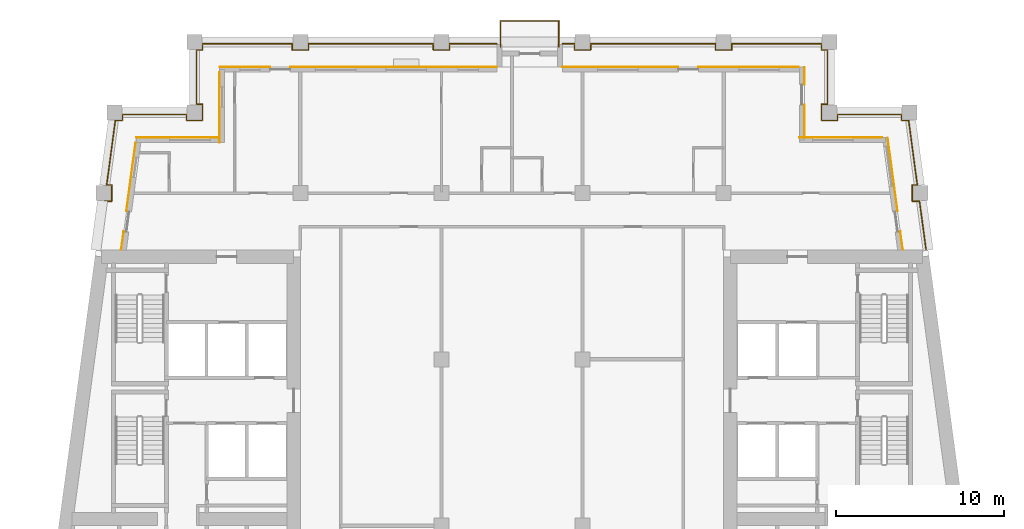
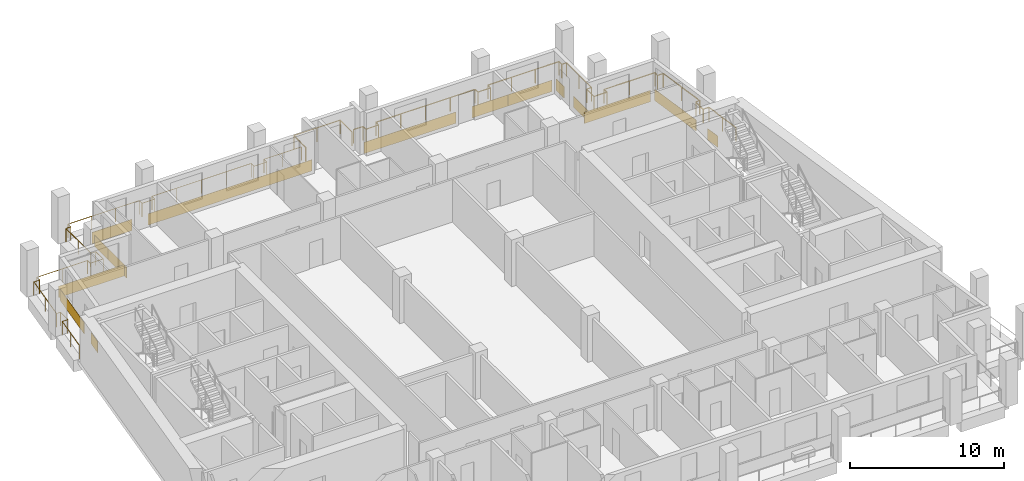
# One storey, part 11 of 12: 15 coverings, 3 railings.
"""IFC4 building model written with IfcOpenShell, lengths in metres."""

from ifc_helpers import new_model, si_unit, direction, frame, origin, origin_2d, place, context, subcontext, project, spatial, rectangle, circle, extrude, material, layer, layer_set, type_object, element, save


model = new_model("IFC4")

# Units and contexts
model_context = context("Model", 3, precision=1e-05, world=origin(), true_north=direction((0.0, 1.0)))
body_context = subcontext(model_context, "Body", "Model", "MODEL_VIEW")
ifc_project = project(units=[si_unit("LENGTHUNIT", "METRE"), si_unit("AREAUNIT", "SQUARE_METRE"), si_unit("VOLUMEUNIT", "CUBIC_METRE"), si_unit("PLANEANGLEUNIT", "RADIAN"), si_unit("MASSUNIT", "GRAM", prefix="KILO")], contexts=[model_context])

# Site, building, storey
site_placement = place(None, origin())
site = spatial("IfcSite", under=ifc_project, at=site_placement, CompositionType="ELEMENT")
building_placement = place(site_placement, origin())
building = spatial("IfcBuilding", under=site, at=building_placement, Name="Candeia Pilgrim Tower and Theatre", CompositionType="ELEMENT")
storey_placement = place(building_placement, frame((0.0, 0.0, 228.10009765625)))
storey = spatial("IfcBuildingStorey", under=building, at=storey_placement, Name="L55", CompositionType="ELEMENT", Elevation=228.10009765625)

# Railings
ifc_material_1 = material(Name="Stainless steel balustrade", Category="steel")
railing_type = type_object("IfcRailingType", Name="G1 loggia guard 1100", PredefinedType="GUARDRAIL", material=ifc_material_1)
railing_1_placement = place(storey_placement, frame((88.758544921875, 132.449951171875, 0.0)))
element("IfcRailing", 1, at=railing_1_placement, inside=storey, type_object=railing_type, Name="Guard L55.2", PredefinedType="GUARDRAIL", context=body_context, shape_type="SweptSolid", body=[
    extrude(circle(Radius=0.02392578125, at=origin_2d()), frame((0.0, 0.0, 1.076171875), z_axis=(0.133450228179, 0.991055516406, 0.0), x_axis=(-0.991055516406, 0.133450228179, 0.0)), (0.0, 0.0, 1.0), 2.89599609375),
    extrude(circle(Radius=0.02392578125, at=origin_2d()), frame((0.386474609375, 2.8701171875, 1.076171875), z_axis=(1.0, 0.0, 0.0), x_axis=(0.0, 1.0, 0.0)), (0.0, 0.0, 1.0), 0.42333984375),
    extrude(circle(Radius=0.02392578125, at=origin_2d()), frame((0.809814453125, 2.8701171875, 1.076171875), z_axis=(0.0, 1.0, 0.0), x_axis=(-1.0, 0.0, 0.0)), (0.0, 0.0, 1.0), 0.9599609375),
    extrude(circle(Radius=0.02392578125, at=origin_2d()), frame((0.809814453125, 3.830078125, 1.076171875), z_axis=(-1.0, 0.0, 0.0), x_axis=(0.0, -1.0, 0.0)), (0.0, 0.0, 1.0), 0.294189453125),
    extrude(circle(Radius=0.02392578125, at=origin_2d()), frame((0.515625, 3.830078125, 1.076171875), z_axis=(0.133389399471, 0.991063705374, 0.0), x_axis=(-0.991063705374, 0.133389399471, 0.0)), (0.0, 0.0, 1.0), 3.874755859375),
    extrude(circle(Radius=0.02392578125, at=origin_2d()), frame((1.032470703125, 7.670166015625, 1.076171875), z_axis=(1.0, 0.0, 0.0), x_axis=(0.0, 1.0, 0.0)), (0.0, 0.0, 1.0), 0.423583984375),
    extrude(circle(Radius=0.02392578125, at=origin_2d()), frame((1.4560546875, 7.670166015625, 1.076171875), z_axis=(0.0, 1.0, 0.0), x_axis=(-1.0, 0.0, 0.0)), (0.0, 0.0, 1.0), 0.35986328125),
    extrude(circle(Radius=0.02392578125, at=origin_2d()), frame((1.4560546875, 8.030029296875, 1.076171875), z_axis=(1.0, 0.0, 0.0), x_axis=(0.0, 1.0, 0.0)), (0.0, 0.0, 1.0), 3.805419921875),
    extrude(circle(Radius=0.02392578125, at=origin_2d()), frame((5.261474609375, 8.030029296875, 1.076171875), z_axis=(0.0, -1.0, 0.0), x_axis=(1.0, 0.0, 0.0)), (0.0, 0.0, 1.0), 0.35986328125),
    extrude(circle(Radius=0.02392578125, at=origin_2d()), frame((5.261474609375, 7.670166015625, 1.076171875), z_axis=(1.0, 0.0, 0.0), x_axis=(0.0, 1.0, 0.0)), (0.0, 0.0, 1.0), 0.9599609375),
    extrude(circle(Radius=0.02392578125, at=origin_2d()), frame((6.221435546875, 7.670166015625, 1.076171875), z_axis=(0.0, 1.0, 0.0), x_axis=(-1.0, 0.0, 0.0)), (0.0, 0.0, 1.0), 0.9599609375),
    extrude(circle(Radius=0.02392578125, at=origin_2d()), frame((6.221435546875, 8.630126953125, 1.076171875), z_axis=(-1.0, 0.0, 0.0), x_axis=(0.0, -1.0, 0.0)), (0.0, 0.0, 1.0), 0.35986328125),
    extrude(circle(Radius=0.02392578125, at=origin_2d()), frame((5.861572265625, 8.630126953125, 1.076171875), z_axis=(0.0, 1.0, 0.0), x_axis=(-1.0, 0.0, 0.0)), (0.0, 0.0, 1.0), 3.239990234375),
    extrude(circle(Radius=0.02392578125, at=origin_2d()), frame((5.861572265625, 11.8701171875, 1.076171875), z_axis=(1.0, 0.0, 0.0), x_axis=(0.0, 1.0, 0.0)), (0.0, 0.0, 1.0), 0.35986328125),
    extrude(circle(Radius=0.02392578125, at=origin_2d()), frame((6.221435546875, 11.8701171875, 1.076171875), z_axis=(0.0, 1.0, 0.0), x_axis=(-1.0, 0.0, 0.0)), (0.0, 0.0, 1.0), 0.35986328125),
    extrude(circle(Radius=0.02392578125, at=origin_2d()), frame((6.221435546875, 12.22998046875, 1.076171875), z_axis=(1.0, 0.0, 0.0), x_axis=(0.0, 1.0, 0.0)), (0.0, 0.0, 1.0), 5.340087890625),
    extrude(circle(Radius=0.02392578125, at=origin_2d()), frame((11.5615234375, 12.22998046875, 1.076171875), z_axis=(0.0, -1.0, 0.0), x_axis=(1.0, 0.0, 0.0)), (0.0, 0.0, 1.0), 0.35986328125),
    extrude(circle(Radius=0.02392578125, at=origin_2d()), frame((11.5615234375, 11.8701171875, 1.076171875), z_axis=(1.0, 0.0, 0.0), x_axis=(0.0, 1.0, 0.0)), (0.0, 0.0, 1.0), 0.9599609375),
    extrude(circle(Radius=0.02392578125, at=origin_2d()), frame((12.521484375, 11.8701171875, 1.076171875), z_axis=(0.0, 1.0, 0.0), x_axis=(-1.0, 0.0, 0.0)), (0.0, 0.0, 1.0), 0.35986328125),
    extrude(circle(Radius=0.02392578125, at=origin_2d()), frame((12.521484375, 12.22998046875, 1.076171875), z_axis=(1.0, 0.0, 0.0), x_axis=(0.0, 1.0, 0.0)), (0.0, 0.0, 1.0), 7.43994140625),
    extrude(circle(Radius=0.02392578125, at=origin_2d()), frame((19.96142578125, 12.22998046875, 1.076171875), z_axis=(0.0, -1.0, 0.0), x_axis=(1.0, 0.0, 0.0)), (0.0, 0.0, 1.0), 0.35986328125),
    extrude(circle(Radius=0.02392578125, at=origin_2d()), frame((19.96142578125, 11.8701171875, 1.076171875), z_axis=(1.0, 0.0, 0.0), x_axis=(0.0, 1.0, 0.0)), (0.0, 0.0, 1.0), 0.9599609375),
    extrude(circle(Radius=0.02392578125, at=origin_2d()), frame((20.92138671875, 11.8701171875, 1.076171875), z_axis=(0.0, 1.0, 0.0), x_axis=(-1.0, 0.0, 0.0)), (0.0, 0.0, 1.0), 0.35986328125),
    extrude(circle(Radius=0.02392578125, at=origin_2d()), frame((20.92138671875, 12.22998046875, 1.076171875), z_axis=(1.0, 0.0, 0.0), x_axis=(0.0, 1.0, 0.0)), (0.0, 0.0, 1.0), 2.820068359375),
    extrude(circle(Radius=0.02099609375, at=origin_2d()), origin(), (0.0, 0.0, 1.0), 1.052001953125),
    extrude(circle(Radius=0.02099609375, at=origin_2d()), frame((0.193359375, 1.43505859375, 0.0)), (0.0, 0.0, 1.0), 1.052001953125),
    extrude(circle(Radius=0.02099609375, at=origin_2d()), frame((0.386474609375, 2.8701171875, 0.0)), (0.0, 0.0, 1.0), 1.052001953125),
    extrude(circle(Radius=0.02099609375, at=origin_2d()), frame((0.809814453125, 2.8701171875, 0.0)), (0.0, 0.0, 1.0), 1.052001953125),
    extrude(circle(Radius=0.02099609375, at=origin_2d()), frame((0.809814453125, 3.830078125, 0.0)), (0.0, 0.0, 1.0), 1.052001953125),
    extrude(circle(Radius=0.02099609375, at=origin_2d()), frame((0.515625, 3.830078125, 0.0)), (0.0, 0.0, 1.0), 1.052001953125),
    extrude(circle(Radius=0.02099609375, at=origin_2d()), frame((0.77392578125, 5.75, 0.0)), (0.0, 0.0, 1.0), 1.052001953125),
    extrude(circle(Radius=0.02099609375, at=origin_2d()), frame((1.032470703125, 7.670166015625, 0.0)), (0.0, 0.0, 1.0), 1.052001953125),
    extrude(circle(Radius=0.02099609375, at=origin_2d()), frame((1.4560546875, 7.670166015625, 0.0)), (0.0, 0.0, 1.0), 1.052001953125),
    extrude(circle(Radius=0.02099609375, at=origin_2d()), frame((1.4560546875, 8.030029296875, 0.0)), (0.0, 0.0, 1.0), 1.052001953125),
    extrude(circle(Radius=0.02099609375, at=origin_2d()), frame((3.35888671875, 8.030029296875, 0.0)), (0.0, 0.0, 1.0), 1.052001953125),
    extrude(circle(Radius=0.02099609375, at=origin_2d()), frame((5.261474609375, 8.030029296875, 0.0)), (0.0, 0.0, 1.0), 1.052001953125),
    extrude(circle(Radius=0.02099609375, at=origin_2d()), frame((5.261474609375, 7.670166015625, 0.0)), (0.0, 0.0, 1.0), 1.052001953125),
    extrude(circle(Radius=0.02099609375, at=origin_2d()), frame((6.221435546875, 7.670166015625, 0.0)), (0.0, 0.0, 1.0), 1.052001953125),
    extrude(circle(Radius=0.02099609375, at=origin_2d()), frame((6.221435546875, 8.630126953125, 0.0)), (0.0, 0.0, 1.0), 1.052001953125),
    extrude(circle(Radius=0.02099609375, at=origin_2d()), frame((5.861572265625, 8.630126953125, 0.0)), (0.0, 0.0, 1.0), 1.052001953125),
    extrude(circle(Radius=0.02099609375, at=origin_2d()), frame((5.861572265625, 10.25, 0.0)), (0.0, 0.0, 1.0), 1.052001953125),
    extrude(circle(Radius=0.02099609375, at=origin_2d()), frame((5.861572265625, 11.8701171875, 0.0)), (0.0, 0.0, 1.0), 1.052001953125),
    extrude(circle(Radius=0.02099609375, at=origin_2d()), frame((6.221435546875, 11.8701171875, 0.0)), (0.0, 0.0, 1.0), 1.052001953125),
    extrude(circle(Radius=0.02099609375, at=origin_2d()), frame((6.221435546875, 12.22998046875, 0.0)), (0.0, 0.0, 1.0), 1.052001953125),
    extrude(circle(Radius=0.02099609375, at=origin_2d()), frame((8.00146484375, 12.22998046875, 0.0)), (0.0, 0.0, 1.0), 1.052001953125),
    extrude(circle(Radius=0.02099609375, at=origin_2d()), frame((9.781494140625, 12.22998046875, 0.0)), (0.0, 0.0, 1.0), 1.052001953125),
    extrude(circle(Radius=0.02099609375, at=origin_2d()), frame((11.5615234375, 12.22998046875, 0.0)), (0.0, 0.0, 1.0), 1.052001953125),
    extrude(circle(Radius=0.02099609375, at=origin_2d()), frame((11.5615234375, 11.8701171875, 0.0)), (0.0, 0.0, 1.0), 1.052001953125),
    extrude(circle(Radius=0.02099609375, at=origin_2d()), frame((12.521484375, 11.8701171875, 0.0)), (0.0, 0.0, 1.0), 1.052001953125),
    extrude(circle(Radius=0.02099609375, at=origin_2d()), frame((12.521484375, 12.22998046875, 0.0)), (0.0, 0.0, 1.0), 1.052001953125),
    extrude(circle(Radius=0.02099609375, at=origin_2d()), frame((14.38134765625, 12.22998046875, 0.0)), (0.0, 0.0, 1.0), 1.052001953125),
    extrude(circle(Radius=0.02099609375, at=origin_2d()), frame((16.241455078125, 12.22998046875, 0.0)), (0.0, 0.0, 1.0), 1.052001953125),
    extrude(circle(Radius=0.02099609375, at=origin_2d()), frame((18.1015625, 12.22998046875, 0.0)), (0.0, 0.0, 1.0), 1.052001953125),
    extrude(circle(Radius=0.02099609375, at=origin_2d()), frame((19.96142578125, 12.22998046875, 0.0)), (0.0, 0.0, 1.0), 1.052001953125),
    extrude(circle(Radius=0.02099609375, at=origin_2d()), frame((19.96142578125, 11.8701171875, 0.0)), (0.0, 0.0, 1.0), 1.052001953125),
    extrude(circle(Radius=0.02099609375, at=origin_2d()), frame((20.92138671875, 11.8701171875, 0.0)), (0.0, 0.0, 1.0), 1.052001953125),
    extrude(circle(Radius=0.02099609375, at=origin_2d()), frame((20.92138671875, 12.22998046875, 0.0)), (0.0, 0.0, 1.0), 1.052001953125),
    extrude(circle(Radius=0.02099609375, at=origin_2d()), frame((22.33154296875, 12.22998046875, 0.0)), (0.0, 0.0, 1.0), 1.052001953125),
    extrude(circle(Radius=0.02099609375, at=origin_2d()), frame((23.741455078125, 12.22998046875, 0.0)), (0.0, 0.0, 1.0), 1.052001953125),
])
railing_2_placement = place(storey_placement, frame((116.39990234375, 144.679931640625, 0.0)))
element("IfcRailing", 2, at=railing_2_placement, inside=storey, type_object=railing_type, Name="Guard L55.3", PredefinedType="GUARDRAIL", context=body_context, shape_type="SweptSolid", body=[
    extrude(circle(Radius=0.02392578125, at=origin_2d()), frame((0.0, 0.0, 1.076171875), z_axis=(1.0, 0.0, 0.0), x_axis=(0.0, 1.0, 0.0)), (0.0, 0.0, 1.0), 0.72021484375),
    extrude(circle(Radius=0.02392578125, at=origin_2d()), frame((0.72021484375, 0.0, 1.076171875), z_axis=(0.0, -1.0, 0.0), x_axis=(1.0, 0.0, 0.0)), (0.0, 0.0, 1.0), 0.35986328125),
    extrude(circle(Radius=0.02392578125, at=origin_2d()), frame((0.72021484375, -0.35986328125, 1.076171875), z_axis=(1.0, 0.0, 0.0), x_axis=(0.0, 1.0, 0.0)), (0.0, 0.0, 1.0), 0.9599609375),
    extrude(circle(Radius=0.02392578125, at=origin_2d()), frame((1.68017578125, -0.35986328125, 1.076171875), z_axis=(0.0, 1.0, 0.0), x_axis=(-1.0, 0.0, 0.0)), (0.0, 0.0, 1.0), 0.35986328125),
    extrude(circle(Radius=0.02392578125, at=origin_2d()), frame((1.68017578125, 0.0, 1.076171875), z_axis=(1.0, 0.0, 0.0), x_axis=(0.0, 1.0, 0.0)), (0.0, 0.0, 1.0), 7.43994140625),
    extrude(circle(Radius=0.02392578125, at=origin_2d()), frame((9.1201171875, 0.0, 1.076171875), z_axis=(0.0, -1.0, 0.0), x_axis=(1.0, 0.0, 0.0)), (0.0, 0.0, 1.0), 0.35986328125),
    extrude(circle(Radius=0.02392578125, at=origin_2d()), frame((9.1201171875, -0.35986328125, 1.076171875), z_axis=(1.0, 0.0, 0.0), x_axis=(0.0, 1.0, 0.0)), (0.0, 0.0, 1.0), 0.9599609375),
    extrude(circle(Radius=0.02392578125, at=origin_2d()), frame((10.080078125, -0.35986328125, 1.076171875), z_axis=(0.0, 1.0, 0.0), x_axis=(-1.0, 0.0, 0.0)), (0.0, 0.0, 1.0), 0.35986328125),
    extrude(circle(Radius=0.02392578125, at=origin_2d()), frame((10.080078125, 0.0, 1.076171875), z_axis=(1.0, 0.0, 0.0), x_axis=(0.0, 1.0, 0.0)), (0.0, 0.0, 1.0), 5.340087890625),
    extrude(circle(Radius=0.02392578125, at=origin_2d()), frame((15.420166015625, 0.0, 1.076171875), z_axis=(0.0, -1.0, 0.0), x_axis=(1.0, 0.0, 0.0)), (0.0, 0.0, 1.0), 0.35986328125),
    extrude(circle(Radius=0.02392578125, at=origin_2d()), frame((15.420166015625, -0.35986328125, 1.076171875), z_axis=(1.0, 0.0, 0.0), x_axis=(0.0, 1.0, 0.0)), (0.0, 0.0, 1.0), 0.35986328125),
    extrude(circle(Radius=0.02392578125, at=origin_2d()), frame((15.780029296875, -0.35986328125, 1.076171875), z_axis=(0.0, -1.0, 0.0), x_axis=(1.0, 0.0, 0.0)), (0.0, 0.0, 1.0), 3.239990234375),
    extrude(circle(Radius=0.02392578125, at=origin_2d()), frame((15.780029296875, -3.599853515625, 1.076171875), z_axis=(-1.0, 0.0, 0.0), x_axis=(0.0, -1.0, 0.0)), (0.0, 0.0, 1.0), 0.35986328125),
    extrude(circle(Radius=0.02392578125, at=origin_2d()), frame((15.420166015625, -3.599853515625, 1.076171875), z_axis=(0.0, -1.0, 0.0), x_axis=(1.0, 0.0, 0.0)), (0.0, 0.0, 1.0), 0.9599609375),
    extrude(circle(Radius=0.02392578125, at=origin_2d()), frame((15.420166015625, -4.559814453125, 1.076171875), z_axis=(1.0, 0.0, 0.0), x_axis=(0.0, 1.0, 0.0)), (0.0, 0.0, 1.0), 0.9599609375),
    extrude(circle(Radius=0.02392578125, at=origin_2d()), frame((16.380126953125, -4.559814453125, 1.076171875), z_axis=(0.0, 1.0, 0.0), x_axis=(-1.0, 0.0, 0.0)), (0.0, 0.0, 1.0), 0.35986328125),
    extrude(circle(Radius=0.02392578125, at=origin_2d()), frame((16.380126953125, -4.199951171875, 1.076171875), z_axis=(1.0, 0.0, 0.0), x_axis=(0.0, 1.0, 0.0)), (0.0, 0.0, 1.0), 3.805419921875),
    extrude(circle(Radius=0.02392578125, at=origin_2d()), frame((20.185546875, -4.199951171875, 1.076171875), z_axis=(0.0, -1.0, 0.0), x_axis=(1.0, 0.0, 0.0)), (0.0, 0.0, 1.0), 0.35986328125),
    extrude(circle(Radius=0.02392578125, at=origin_2d()), frame((20.185546875, -4.559814453125, 1.076171875), z_axis=(1.0, 0.0, 0.0), x_axis=(0.0, 1.0, 0.0)), (0.0, 0.0, 1.0), 0.423583984375),
    extrude(circle(Radius=0.02392578125, at=origin_2d()), frame((20.609130859375, -4.559814453125, 1.076171875), z_axis=(0.133389399471, -0.991063705374, 0.0), x_axis=(0.991063705374, 0.133389399471, 0.0)), (0.0, 0.0, 1.0), 3.874755859375),
    extrude(circle(Radius=0.02392578125, at=origin_2d()), frame((21.1259765625, -8.39990234375, 1.076171875), z_axis=(-1.0, 0.0, 0.0), x_axis=(0.0, -1.0, 0.0)), (0.0, 0.0, 1.0), 0.29443359375),
    extrude(circle(Radius=0.02392578125, at=origin_2d()), frame((20.83154296875, -8.39990234375, 1.076171875), z_axis=(0.0, -1.0, 0.0), x_axis=(1.0, 0.0, 0.0)), (0.0, 0.0, 1.0), 0.9599609375),
    extrude(circle(Radius=0.02392578125, at=origin_2d()), frame((20.83154296875, -9.35986328125, 1.076171875), z_axis=(1.0, 0.0, 0.0), x_axis=(0.0, 1.0, 0.0)), (0.0, 0.0, 1.0), 0.423583984375),
    extrude(circle(Radius=0.02392578125, at=origin_2d()), frame((21.255126953125, -9.35986328125, 1.076171875), z_axis=(0.133450228179, -0.991055516406, 0.0), x_axis=(0.991055516406, 0.133450228179, 0.0)), (0.0, 0.0, 1.0), 2.89599609375),
    extrude(circle(Radius=0.02099609375, at=origin_2d()), origin(), (0.0, 0.0, 1.0), 1.052001953125),
    extrude(circle(Radius=0.02099609375, at=origin_2d()), frame((0.72021484375, 0.0, 0.0)), (0.0, 0.0, 1.0), 1.052001953125),
    extrude(circle(Radius=0.02099609375, at=origin_2d()), frame((0.72021484375, -0.35986328125, 0.0)), (0.0, 0.0, 1.0), 1.052001953125),
    extrude(circle(Radius=0.02099609375, at=origin_2d()), frame((1.68017578125, -0.35986328125, 0.0)), (0.0, 0.0, 1.0), 1.052001953125),
    extrude(circle(Radius=0.02099609375, at=origin_2d()), frame((1.68017578125, 0.0, 0.0)), (0.0, 0.0, 1.0), 1.052001953125),
    extrude(circle(Radius=0.02099609375, at=origin_2d()), frame((3.5400390625, 0.0, 0.0)), (0.0, 0.0, 1.0), 1.052001953125),
    extrude(circle(Radius=0.02099609375, at=origin_2d()), frame((5.400146484375, 0.0, 0.0)), (0.0, 0.0, 1.0), 1.052001953125),
    extrude(circle(Radius=0.02099609375, at=origin_2d()), frame((7.26025390625, 0.0, 0.0)), (0.0, 0.0, 1.0), 1.052001953125),
    extrude(circle(Radius=0.02099609375, at=origin_2d()), frame((9.1201171875, 0.0, 0.0)), (0.0, 0.0, 1.0), 1.052001953125),
    extrude(circle(Radius=0.02099609375, at=origin_2d()), frame((9.1201171875, -0.35986328125, 0.0)), (0.0, 0.0, 1.0), 1.052001953125),
    extrude(circle(Radius=0.02099609375, at=origin_2d()), frame((10.080078125, -0.35986328125, 0.0)), (0.0, 0.0, 1.0), 1.052001953125),
    extrude(circle(Radius=0.02099609375, at=origin_2d()), frame((10.080078125, 0.0, 0.0)), (0.0, 0.0, 1.0), 1.052001953125),
    extrude(circle(Radius=0.02099609375, at=origin_2d()), frame((11.860107421875, 0.0, 0.0)), (0.0, 0.0, 1.0), 1.052001953125),
    extrude(circle(Radius=0.02099609375, at=origin_2d()), frame((13.64013671875, 0.0, 0.0)), (0.0, 0.0, 1.0), 1.052001953125),
    extrude(circle(Radius=0.02099609375, at=origin_2d()), frame((15.420166015625, 0.0, 0.0)), (0.0, 0.0, 1.0), 1.052001953125),
    extrude(circle(Radius=0.02099609375, at=origin_2d()), frame((15.420166015625, -0.35986328125, 0.0)), (0.0, 0.0, 1.0), 1.052001953125),
    extrude(circle(Radius=0.02099609375, at=origin_2d()), frame((15.780029296875, -0.35986328125, 0.0)), (0.0, 0.0, 1.0), 1.052001953125),
    extrude(circle(Radius=0.02099609375, at=origin_2d()), frame((15.780029296875, -1.97998046875, 0.0)), (0.0, 0.0, 1.0), 1.052001953125),
    extrude(circle(Radius=0.02099609375, at=origin_2d()), frame((15.780029296875, -3.599853515625, 0.0)), (0.0, 0.0, 1.0), 1.052001953125),
    extrude(circle(Radius=0.02099609375, at=origin_2d()), frame((15.420166015625, -3.599853515625, 0.0)), (0.0, 0.0, 1.0), 1.052001953125),
    extrude(circle(Radius=0.02099609375, at=origin_2d()), frame((15.420166015625, -4.559814453125, 0.0)), (0.0, 0.0, 1.0), 1.052001953125),
    extrude(circle(Radius=0.02099609375, at=origin_2d()), frame((16.380126953125, -4.559814453125, 0.0)), (0.0, 0.0, 1.0), 1.052001953125),
    extrude(circle(Radius=0.02099609375, at=origin_2d()), frame((16.380126953125, -4.199951171875, 0.0)), (0.0, 0.0, 1.0), 1.052001953125),
    extrude(circle(Radius=0.02099609375, at=origin_2d()), frame((18.28271484375, -4.199951171875, 0.0)), (0.0, 0.0, 1.0), 1.052001953125),
    extrude(circle(Radius=0.02099609375, at=origin_2d()), frame((20.185546875, -4.199951171875, 0.0)), (0.0, 0.0, 1.0), 1.052001953125),
    extrude(circle(Radius=0.02099609375, at=origin_2d()), frame((20.185546875, -4.559814453125, 0.0)), (0.0, 0.0, 1.0), 1.052001953125),
    extrude(circle(Radius=0.02099609375, at=origin_2d()), frame((20.609130859375, -4.559814453125, 0.0)), (0.0, 0.0, 1.0), 1.052001953125),
    extrude(circle(Radius=0.02099609375, at=origin_2d()), frame((20.86767578125, -6.47998046875, 0.0)), (0.0, 0.0, 1.0), 1.052001953125),
    extrude(circle(Radius=0.02099609375, at=origin_2d()), frame((21.1259765625, -8.39990234375, 0.0)), (0.0, 0.0, 1.0), 1.052001953125),
    extrude(circle(Radius=0.02099609375, at=origin_2d()), frame((20.83154296875, -8.39990234375, 0.0)), (0.0, 0.0, 1.0), 1.052001953125),
    extrude(circle(Radius=0.02099609375, at=origin_2d()), frame((20.83154296875, -9.35986328125, 0.0)), (0.0, 0.0, 1.0), 1.052001953125),
    extrude(circle(Radius=0.02099609375, at=origin_2d()), frame((21.255126953125, -9.35986328125, 0.0)), (0.0, 0.0, 1.0), 1.052001953125),
    extrude(circle(Radius=0.02099609375, at=origin_2d()), frame((21.4482421875, -10.794921875, 0.0)), (0.0, 0.0, 1.0), 1.052001953125),
    extrude(circle(Radius=0.02099609375, at=origin_2d()), frame((21.6416015625, -12.22998046875, 0.0)), (0.0, 0.0, 1.0), 1.052001953125),
])
railing_3_placement = place(storey_placement, frame((112.7099609375, 144.5, 0.0)))
element("IfcRailing", 3, at=railing_3_placement, inside=storey, type_object=railing_type, Name="Balcony guard L55", PredefinedType="GUARDRAIL", context=body_context, shape_type="SweptSolid", body=[
    extrude(circle(Radius=0.02392578125, at=origin_2d()), frame((0.0, 0.0, 1.076171875), z_axis=(0.0, 1.0, 0.0), x_axis=(-1.0, 0.0, 0.0)), (0.0, 0.0, 1.0), 1.5400390625),
    extrude(circle(Radius=0.02392578125, at=origin_2d()), frame((0.0, 1.5400390625, 1.076171875), z_axis=(1.0, 0.0, 0.0), x_axis=(0.0, 1.0, 0.0)), (0.0, 0.0, 1.0), 3.47998046875),
    extrude(circle(Radius=0.02392578125, at=origin_2d()), frame((3.47998046875, 1.5400390625, 1.076171875), z_axis=(0.0, -1.0, 0.0), x_axis=(1.0, 0.0, 0.0)), (0.0, 0.0, 1.0), 1.5400390625),
    extrude(circle(Radius=0.02099609375, at=origin_2d()), origin(), (0.0, 0.0, 1.0), 1.052001953125),
    extrude(circle(Radius=0.02099609375, at=origin_2d()), frame((0.0, 1.5400390625, 0.0)), (0.0, 0.0, 1.0), 1.052001953125),
    extrude(circle(Radius=0.02099609375, at=origin_2d()), frame((1.739990234375, 1.5400390625, 0.0)), (0.0, 0.0, 1.0), 1.052001953125),
    extrude(circle(Radius=0.02099609375, at=origin_2d()), frame((3.47998046875, 1.5400390625, 0.0)), (0.0, 0.0, 1.0), 1.052001953125),
    extrude(circle(Radius=0.02099609375, at=origin_2d()), frame((3.47998046875, 0.0, 0.0)), (0.0, 0.0, 1.0), 1.052001953125),
])

# Coverings
ifc_material_2 = material(Name="Glazed ceramic tile bottle green")
ifc_layer_1 = layer(ifc_material_2, 0.02001953125)
ifc_layer_set_1 = layer_set([ifc_layer_1], Name="Glazed ceramic tile bottle green")
covering_type_1 = type_object("IfcCoveringType", Name="Glazed ceramic tile bottle green", PredefinedType="CLADDING", material=ifc_layer_set_1)
covering_1_placement = place(storey_placement, frame((136.588623046875, 132.97412109375, 0.0), z_axis=(0.0, 0.0, 1.0), x_axis=(-0.133412012145, 0.991060661622, 0.0)))
element("IfcCovering", 4, at=covering_1_placement, inside=storey, type_object=covering_type_1, Name="Tile cladding bottle green L55", PredefinedType="CLADDING", context=body_context, shape_type="SweptSolid", body=[
    extrude(rectangle(XDim=1.115234375, YDim=0.02001953125, at=origin_2d()), origin(), (0.0, 0.0, 1.0), 0.89990234375),
])
covering_2_placement = place(storey_placement, frame((136.058837890625, 136.90869140625, 0.0), z_axis=(0.0, 0.0, 1.0), x_axis=(-0.133412012145, 0.991060661622, 0.0)))
element("IfcCovering", 5, at=covering_2_placement, inside=storey, type_object=covering_type_1, Name="Tile cladding bottle green L55", PredefinedType="CLADDING", context=body_context, shape_type="SweptSolid", body=[
    extrude(rectangle(XDim=4.4248046875, YDim=0.02001953125, at=origin_2d()), origin(), (0.0, 0.0, 1.0), 0.89990234375),
])
covering_3_placement = place(storey_placement, frame((130.81005859375, 140.0849609375, 0.0), z_axis=(0.0, 0.0, 1.0), x_axis=(0.0, 1.0, 0.0)))
element("IfcCovering", 6, at=covering_3_placement, inside=storey, type_object=covering_type_1, Name="Tile cladding bottle green L55", PredefinedType="CLADDING", context=body_context, shape_type="SweptSolid", body=[
    extrude(rectangle(XDim=1.929931640625, YDim=0.02001953125, at=origin_2d()), origin(), (0.0, 0.0, 1.0), 0.89990234375),
])
covering_4_placement = place(storey_placement, frame((125.85009765625, 143.31005859375, 0.0), z_axis=(0.0, 0.0, 1.0), x_axis=(-1.0, 0.0, 0.0)))
element("IfcCovering", 7, at=covering_4_placement, inside=storey, type_object=covering_type_1, Name="Tile cladding bottle green L55", PredefinedType="CLADDING", context=body_context, shape_type="SweptSolid", body=[
    extrude(rectangle(XDim=2.699951171875, YDim=0.02001953125, at=origin_2d()), origin(), (0.0, 0.0, 1.0), 0.89990234375),
])
covering_5_placement = place(storey_placement, frame((119.85009765625, 143.31005859375, 0.0), z_axis=(0.0, 0.0, 1.0), x_axis=(-1.0, 0.0, 0.0)))
element("IfcCovering", 8, at=covering_5_placement, inside=storey, type_object=covering_type_1, Name="Tile cladding bottle green L55", PredefinedType="CLADDING", context=body_context, shape_type="SweptSolid", body=[
    extrude(rectangle(XDim=6.89990234375, YDim=0.02001953125, at=origin_2d()), origin(), (0.0, 0.0, 1.0), 0.89990234375),
])
covering_6_placement = place(storey_placement, frame((106.35009765625, 143.31005859375, 0.0), z_axis=(0.0, 0.0, 1.0), x_axis=(-1.0, 0.0, 0.0)))
element("IfcCovering", 9, at=covering_6_placement, inside=storey, type_object=covering_type_1, Name="Tile cladding bottle green L55", PredefinedType="CLADDING", context=body_context, shape_type="SweptSolid", body=[
    extrude(rectangle(XDim=12.300048828125, YDim=0.02001953125, at=origin_2d()), origin(), (0.0, 0.0, 1.0), 0.89990234375),
])
covering_7_placement = place(storey_placement, frame((97.5, 143.31005859375, 0.0), z_axis=(0.0, 0.0, 1.0), x_axis=(-1.0, 0.0, 0.0)))
element("IfcCovering", 10, at=covering_7_placement, inside=storey, type_object=covering_type_1, Name="Tile cladding bottle green L55", PredefinedType="CLADDING", context=body_context, shape_type="SweptSolid", body=[
    extrude(rectangle(XDim=3.0, YDim=0.02001953125, at=origin_2d()), origin(), (0.0, 0.0, 1.0), 0.89990234375),
])
covering_8_placement = place(storey_placement, frame((95.989990234375, 140.0, 0.0), z_axis=(0.0, 0.0, 1.0), x_axis=(0.0, -1.0, 0.0)))
element("IfcCovering", 11, at=covering_8_placement, inside=storey, type_object=covering_type_1, Name="Tile cladding bottle green L55", PredefinedType="CLADDING", context=body_context, shape_type="SweptSolid", body=[
    extrude(rectangle(XDim=2.39990234375, YDim=0.02001953125, at=origin_2d()), origin(), (0.0, 0.0, 1.0), 0.89990234375),
])
covering_9_placement = place(storey_placement, frame((93.51318359375, 139.110107421875, 0.0), z_axis=(0.0, 0.0, 1.0), x_axis=(-1.0, 0.0, 0.0)))
element("IfcCovering", 12, at=covering_9_placement, inside=storey, type_object=covering_type_1, Name="Tile cladding bottle green L55", PredefinedType="CLADDING", context=body_context, shape_type="SweptSolid", body=[
    extrude(rectangle(XDim=4.933837890625, YDim=0.02001953125, at=origin_2d()), origin(), (0.0, 0.0, 1.0), 0.89990234375),
])
covering_10_placement = place(storey_placement, frame((90.720947265625, 136.759521484375, 0.0), z_axis=(0.0, 0.0, 1.0), x_axis=(-0.133412012145, -0.991060661622, 0.0)))
element("IfcCovering", 13, at=covering_10_placement, inside=storey, type_object=covering_type_1, Name="Tile cladding bottle green L55", PredefinedType="CLADDING", context=body_context, shape_type="SweptSolid", body=[
    extrude(rectangle(XDim=4.123779296875, YDim=0.02001953125, at=origin_2d()), origin(), (0.0, 0.0, 1.0), 0.89990234375),
])
covering_11_placement = place(storey_placement, frame((90.21142578125, 132.97412109375, 0.0), z_axis=(0.0, 0.0, 1.0), x_axis=(-0.133412012145, -0.991060661622, 0.0)))
element("IfcCovering", 14, at=covering_11_placement, inside=storey, type_object=covering_type_1, Name="Tile cladding bottle green L55", PredefinedType="CLADDING", context=body_context, shape_type="SweptSolid", body=[
    extrude(rectangle(XDim=1.115234375, YDim=0.02001953125, at=origin_2d()), origin(), (0.0, 0.0, 1.0), 0.89990234375),
])
ifc_material_3 = material(Name="Glazed ceramic tile rust")
ifc_layer_2 = layer(ifc_material_3, 0.02001953125)
ifc_layer_set_2 = layer_set([ifc_layer_2], Name="Glazed ceramic tile rust")
covering_type_2 = type_object("IfcCoveringType", Name="Glazed ceramic tile rust", PredefinedType="CLADDING", material=ifc_layer_set_2)
covering_12_placement = place(storey_placement, frame((132.976318359375, 139.110107421875, 0.0), z_axis=(0.0, 0.0, 1.0), x_axis=(-1.0, 0.0, 0.0)))
element("IfcCovering", 15, at=covering_12_placement, inside=storey, type_object=covering_type_2, Name="Tile cladding rust L55", PredefinedType="CLADDING", context=body_context, shape_type="SweptSolid", body=[
    extrude(rectangle(XDim=4.95263671875, YDim=0.02001953125, at=origin_2d()), origin(), (0.0, 0.0, 1.0), 0.89990234375),
])
covering_13_placement = place(storey_placement, frame((130.81005859375, 142.77490234375, 0.0), z_axis=(0.0, 0.0, 1.0), x_axis=(0.0, 1.0, 0.0)))
element("IfcCovering", 16, at=covering_13_placement, inside=storey, type_object=covering_type_2, Name="Tile cladding rust L55", PredefinedType="CLADDING", context=body_context, shape_type="SweptSolid", body=[
    extrude(rectangle(XDim=1.050048828125, YDim=0.02001953125, at=origin_2d()), origin(), (0.0, 0.0, 1.0), 0.89990234375),
])
covering_14_placement = place(storey_placement, frame((128.840087890625, 143.31005859375, 0.0), z_axis=(0.0, 0.0, 1.0), x_axis=(-1.0, 0.0, 0.0)))
element("IfcCovering", 17, at=covering_14_placement, inside=storey, type_object=covering_type_2, Name="Tile cladding rust L55", PredefinedType="CLADDING", context=body_context, shape_type="SweptSolid", body=[
    extrude(rectangle(XDim=3.280029296875, YDim=0.02001953125, at=origin_2d()), origin(), (0.0, 0.0, 1.0), 0.89990234375),
])
covering_15_placement = place(storey_placement, frame((95.989990234375, 142.090087890625, 0.0), z_axis=(0.0, 0.0, 1.0), x_axis=(0.0, -1.0, 0.0)))
element("IfcCovering", 18, at=covering_15_placement, inside=storey, type_object=covering_type_2, Name="Tile cladding rust L55", PredefinedType="CLADDING", context=body_context, shape_type="SweptSolid", body=[
    extrude(rectangle(XDim=1.780029296875, YDim=0.02001953125, at=origin_2d()), origin(), (0.0, 0.0, 1.0), 0.89990234375),
])

save(model, "model.ifc")
